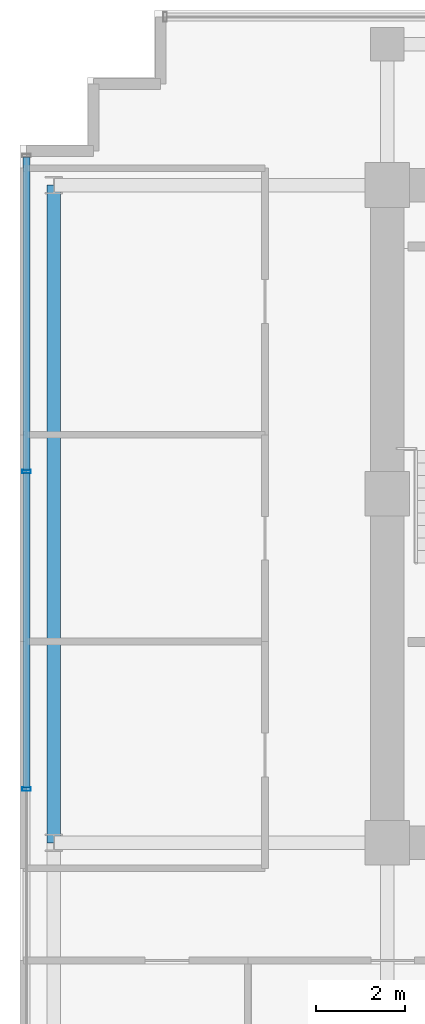
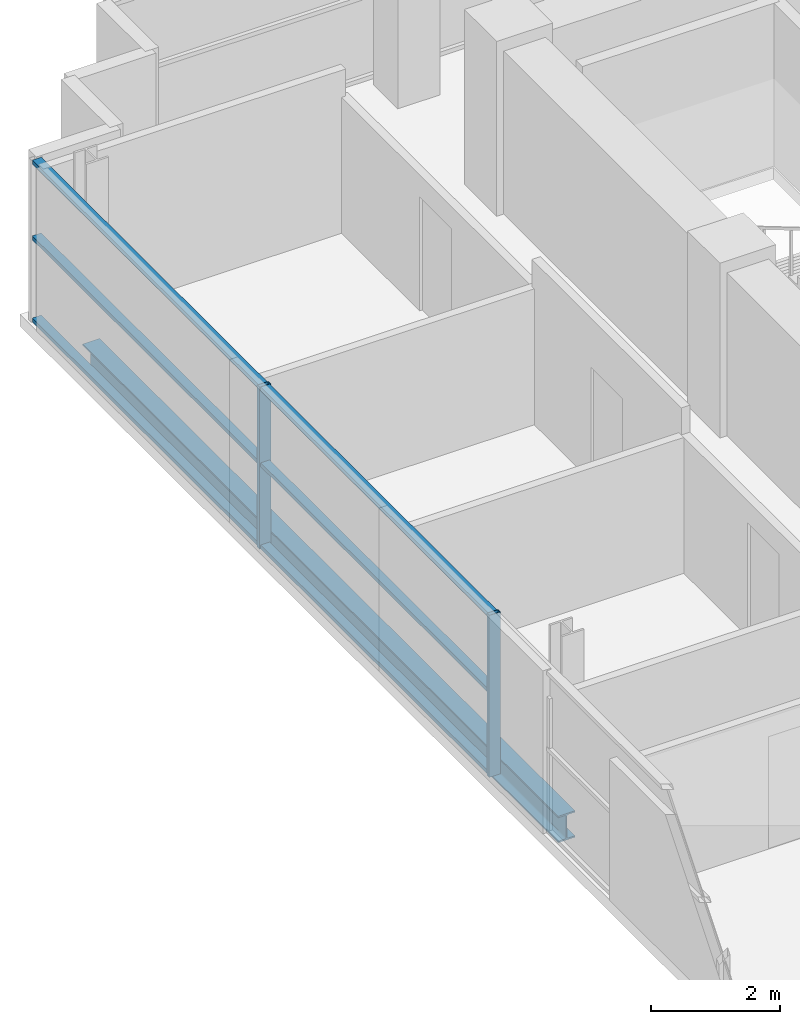
# One storey, part 8 of 23: 8 members, 1 beam, 1 element without a shape of its own.
"""IFC4 building model written with IfcOpenShell, lengths in metres."""

from ifc_helpers import new_model, si_unit, direction, frame, origin, origin_2d, place, context, subcontext, project, spatial, hollow_rectangle, i_section, extrude, source, transform, mapped, material, layer, layer_set, material_profile, profile_set, type_object, element, aggregate, save


model = new_model("IFC4")

# Units and contexts
model_context = context("Model", 3, precision=1e-05, world=origin(), true_north=direction((0.0, 1.0)))
body_context = subcontext(model_context, "Body", "Model", "MODEL_VIEW")
ifc_project = project(units=[si_unit("LENGTHUNIT", "METRE"), si_unit("AREAUNIT", "SQUARE_METRE"), si_unit("VOLUMEUNIT", "CUBIC_METRE"), si_unit("PLANEANGLEUNIT", "RADIAN"), si_unit("MASSUNIT", "GRAM", prefix="KILO")], contexts=[model_context])

# Site, building, storey
site_placement = place(None, origin())
site = spatial("IfcSite", under=ifc_project, at=site_placement, CompositionType="ELEMENT")
building_placement = place(site_placement, origin())
building = spatial("IfcBuilding", under=site, at=building_placement, Name="Zarnakvel Exchange Tower", CompositionType="ELEMENT")
storey_placement = place(building_placement, frame((0.0, 0.0, 175.89990234375)))
storey = spatial("IfcBuildingStorey", under=building, at=storey_placement, Name="L49", CompositionType="ELEMENT", Elevation=175.89990234375)

# Beam
ifc_material_1 = material(Name="Steel S355", Category="steel")
ifc_material_profile_1 = material_profile(ifc_material_1, i_section(OverallWidth=0.300048828125, OverallDepth=0.5, WebThickness=0.014404296875, FlangeThickness=0.028076171875, FilletRadius=0.027099609375, at=origin_2d()))
ifc_profile_set_1 = profile_set([ifc_material_profile_1], Name="Steel S355")
beam_type = type_object("IfcBeamType", Name="SP-02", PredefinedType="SPANDREL", material=ifc_profile_set_1)
beam_placement = place(storey_placement, frame((-21.85009765625, -1.199951171875, -0.474853515625), z_axis=(0.0, 1.0, 0.0), x_axis=(-1.0, 0.0, 0.0)))
element("IfcBeam", 1, at=beam_placement, inside=storey, type_object=beam_type, Name="L49 Tower N-S Frame Beam", PredefinedType="SPANDREL", context=body_context, shape_type="SweptSolid", body=[
    extrude(i_section(OverallWidth=0.300048828125, OverallDepth=0.5, WebThickness=0.014404296875, FlangeThickness=0.028076171875, FilletRadius=0.027099609375, at=origin_2d()), origin(), (0.0, 0.0, 1.0), 14.699951171875),
])

# Curtain wall, members
ifc_material_2 = material(Name="Architectural Bronze Anodised Aluminium", Category="aluminium")
ifc_layer = layer(ifc_material_2, 0.199951171875)
ifc_layer_set = layer_set([ifc_layer], Name="Architectural Bronze Anodised Aluminium")
curtain_wall_type = type_object("IfcCurtainWallType", Name="CW-04", PredefinedType="NOTDEFINED", material=ifc_layer_set)
curtain_wall_placement = place(storey_placement, origin())
curtain_wall = element("IfcCurtainWall", 2, at=curtain_wall_placement, inside=storey, type_object=curtain_wall_type, Name="L49 Curtain Wall CW-L49-W1 (CW-04)", PredefinedType="NOTDEFINED")
ifc_material_profile_2 = material_profile(ifc_material_2, hollow_rectangle(XDim=0.199951171875, YDim=0.074951171875, WallThickness=0.0048828125, at=origin_2d()))
ifc_profile_set_2 = profile_set([ifc_material_profile_2], Name="Architectural Bronze Anodised Aluminium")
member_type_1 = type_object("IfcMemberType", Name="CWM-04", PredefinedType="MULLION", material=ifc_profile_set_2)
shared_shape_1 = source(origin(), body_context, "Body", "SweptSolid", [
    extrude(hollow_rectangle(XDim=0.199951171875, YDim=0.074951171875, WallThickness=0.0048828125, at=origin_2d()), origin(), (0.0, 0.0, 1.0), 3.05517578125),
])
member_1_placement = place(storey_placement, frame((-22.4599609375, 0.0, 0.0), z_axis=(0.0, 0.0, 1.0), x_axis=(-1.0, 0.0, 0.0)))
member_1 = element("IfcMember", 3, at=member_1_placement, type_object=member_type_1, Name="CW-04 mullion 3", PredefinedType="MULLION", context=body_context, shape_type="MappedRepresentation", body=[
    mapped(shared_shape_1, transform((0.0, 0.0, 0.0), x_axis=(1.0, 0.0, 0.0), y_axis=(0.0, 1.0, 0.0), z_axis=(0.0, 0.0, 1.0), scale=1.0)),
])
member_2_placement = place(storey_placement, frame((-22.4599609375, 7.10009765625, 0.0), z_axis=(0.0, 0.0, 1.0), x_axis=(-1.0, 0.0, 0.0)))
member_2 = element("IfcMember", 4, at=member_2_placement, type_object=member_type_1, Name="CW-04 mullion 4", PredefinedType="MULLION", context=body_context, shape_type="MappedRepresentation", body=[
    mapped(shared_shape_1, transform((0.0, 0.0, 0.0), x_axis=(1.0, 0.0, 0.0), y_axis=(0.0, 1.0, 0.0), z_axis=(0.0, 0.0, 1.0), scale=1.0)),
])
ifc_material_profile_3 = material_profile(ifc_material_2, hollow_rectangle(XDim=0.159912109375, YDim=0.074951171875, WallThickness=0.00390625, at=origin_2d()))
ifc_profile_set_3 = profile_set([ifc_material_profile_3], Name="Architectural Bronze Anodised Aluminium")
member_type_2 = type_object("IfcMemberType", Name="CWT-04", PredefinedType="USERDEFINED", material=ifc_profile_set_3)
shared_shape_2 = source(origin(), body_context, "Body", "SweptSolid", [
    extrude(hollow_rectangle(XDim=0.159912109375, YDim=0.074951171875, WallThickness=0.00390625, at=origin_2d()), origin(), (0.0, 0.0, 1.0), 6.987548828125),
])
member_3_placement = place(storey_placement, frame((-22.4599609375, 7.137451171875, 0.03759765625), z_axis=(0.0, 1.0, 0.0), x_axis=(-1.0, 0.0, 0.0)))
member_3 = element("IfcMember", 5, at=member_3_placement, type_object=member_type_2, Name="CW-04 transom 4.1", ObjectType="TRANSOM", PredefinedType="USERDEFINED", context=body_context, shape_type="MappedRepresentation", body=[
    mapped(shared_shape_2, transform((0.0, 0.0, 0.0), x_axis=(1.0, 0.0, 0.0), y_axis=(0.0, 1.0, 0.0), z_axis=(0.0, 0.0, 1.0), scale=1.0)),
])
member_4_placement = place(storey_placement, frame((-22.4599609375, 7.137451171875, 1.588623046875), z_axis=(0.0, 1.0, 0.0), x_axis=(-1.0, 0.0, 0.0)))
member_4 = element("IfcMember", 6, at=member_4_placement, type_object=member_type_2, Name="CW-04 transom 4.2", ObjectType="TRANSOM", PredefinedType="USERDEFINED", context=body_context, shape_type="MappedRepresentation", body=[
    mapped(shared_shape_2, transform((0.0, 0.0, 0.0), x_axis=(1.0, 0.0, 0.0), y_axis=(0.0, 1.0, 0.0), z_axis=(0.0, 0.0, 1.0), scale=1.0)),
])
member_5_placement = place(storey_placement, frame((-22.4599609375, 7.137451171875, 3.017578125), z_axis=(0.0, 1.0, 0.0), x_axis=(-1.0, 0.0, 0.0)))
member_5 = element("IfcMember", 7, at=member_5_placement, type_object=member_type_2, Name="CW-04 transom 4.3", ObjectType="TRANSOM", PredefinedType="USERDEFINED", context=body_context, shape_type="MappedRepresentation", body=[
    mapped(shared_shape_2, transform((0.0, 0.0, 0.0), x_axis=(1.0, 0.0, 0.0), y_axis=(0.0, 1.0, 0.0), z_axis=(0.0, 0.0, 1.0), scale=1.0)),
])
shared_shape_3 = source(origin(), body_context, "Body", "SweptSolid", [
    extrude(hollow_rectangle(XDim=0.159912109375, YDim=0.074951171875, WallThickness=0.00390625, at=origin_2d()), origin(), (0.0, 0.0, 1.0), 7.02490234375),
])
member_6_placement = place(storey_placement, frame((-22.4599609375, 0.03759765625, 0.03759765625), z_axis=(0.0, 1.0, 0.0), x_axis=(-1.0, 0.0, 0.0)))
member_6 = element("IfcMember", 8, at=member_6_placement, type_object=member_type_2, Name="CW-04 transom 3.1", ObjectType="TRANSOM", PredefinedType="USERDEFINED", context=body_context, shape_type="MappedRepresentation", body=[
    mapped(shared_shape_3, transform((0.0, 0.0, 0.0), x_axis=(1.0, 0.0, 0.0), y_axis=(0.0, 1.0, 0.0), z_axis=(0.0, 0.0, 1.0), scale=1.0)),
])
member_7_placement = place(storey_placement, frame((-22.4599609375, 0.03759765625, 1.588623046875), z_axis=(0.0, 1.0, 0.0), x_axis=(-1.0, 0.0, 0.0)))
member_7 = element("IfcMember", 9, at=member_7_placement, type_object=member_type_2, Name="CW-04 transom 3.2", ObjectType="TRANSOM", PredefinedType="USERDEFINED", context=body_context, shape_type="MappedRepresentation", body=[
    mapped(shared_shape_3, transform((0.0, 0.0, 0.0), x_axis=(1.0, 0.0, 0.0), y_axis=(0.0, 1.0, 0.0), z_axis=(0.0, 0.0, 1.0), scale=1.0)),
])
member_8_placement = place(storey_placement, frame((-22.4599609375, 0.03759765625, 3.017578125), z_axis=(0.0, 1.0, 0.0), x_axis=(-1.0, 0.0, 0.0)))
member_8 = element("IfcMember", 10, at=member_8_placement, type_object=member_type_2, Name="CW-04 transom 3.3", ObjectType="TRANSOM", PredefinedType="USERDEFINED", context=body_context, shape_type="MappedRepresentation", body=[
    mapped(shared_shape_3, transform((0.0, 0.0, 0.0), x_axis=(1.0, 0.0, 0.0), y_axis=(0.0, 1.0, 0.0), z_axis=(0.0, 0.0, 1.0), scale=1.0)),
])
aggregate(curtain_wall, [member_1, member_2, member_6, member_7, member_8, member_3, member_4, member_5])

save(model, "model.ifc")
